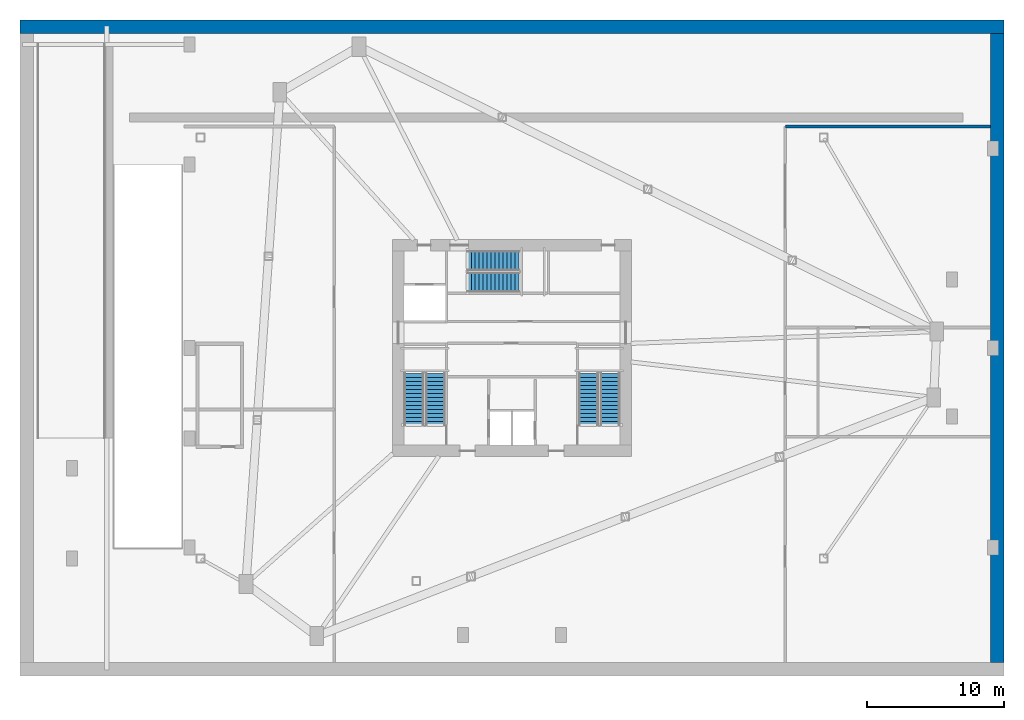
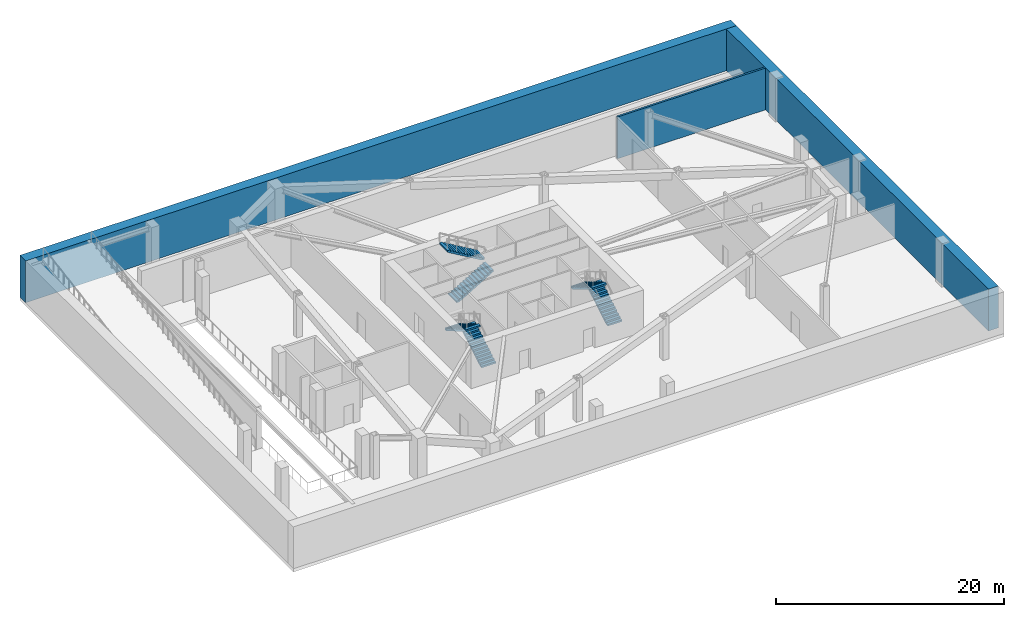
# One storey, part 6 of 9: 6 stair flights, 3 walls, 3 elements without a shape of their own.
"""IFC4 building model written with IfcOpenShell, lengths in metres."""

from ifc_helpers import new_model, si_unit, direction, frame, frame_2d, origin, place, context, subcontext, project, spatial, polyline, rectangle, outline, extrude, material, layer, layer_set, type_object, element, aggregate, save


model = new_model("IFC4")

# Units and contexts
model_context = context("Model", 3, precision=1e-05, world=origin(), true_north=direction((0.0, 1.0)))
body_context = subcontext(model_context, "Body", "Model", "MODEL_VIEW")
ifc_project = project(units=[si_unit("LENGTHUNIT", "METRE"), si_unit("AREAUNIT", "SQUARE_METRE"), si_unit("VOLUMEUNIT", "CUBIC_METRE"), si_unit("PLANEANGLEUNIT", "RADIAN"), si_unit("MASSUNIT", "GRAM", prefix="KILO")], contexts=[model_context])

# Site, building, storey
site_placement = place(None, origin())
site = spatial("IfcSite", under=ifc_project, at=site_placement, CompositionType="ELEMENT")
building_placement = place(site_placement, origin())
building = spatial("IfcBuilding", under=site, at=building_placement, Name="Olszyna Solenne Hotel", CompositionType="ELEMENT")
storey_placement = place(building_placement, frame((0.0, 0.0, -4.800048828125)))
storey = spatial("IfcBuildingStorey", under=building, at=storey_placement, Name="B01", CompositionType="ELEMENT", Elevation=-4.800048828125)

# Walls
ifc_material_1 = material(Name="Concrete C40/50", Category="concrete")
ifc_layer_1 = layer(ifc_material_1, 1.0, Name="Concrete C40/50")
ifc_layer_set_1 = layer_set([ifc_layer_1], Name="Concrete C40/50")
wall_type_1 = type_object("IfcWallType", Name="WL-DW1000", PredefinedType="SOLIDWALL", material=ifc_layer_set_1)
wall_1_placement = place(storey_placement, frame((2.0, 50.10009765625, 0.0), z_axis=(0.0, 0.0, 1.0), x_axis=(1.0, 0.0, 0.0)))
element("IfcWall", 1, at=wall_1_placement, inside=storey, type_object=wall_type_1, Name="Perimeter diaphragm wall DW-B01-N", PredefinedType="SOLIDWALL", context=body_context, shape_type="SweptSolid", body=[
    extrude(rectangle(XDim=72.0, YDim=1.0, at=frame_2d((36.0, 0.0))), origin(), (0.0, 0.0, 1.0), 4.47998046875),
])
wall_2_placement = place(storey_placement, frame((73.5, 3.60009765625, 0.0), z_axis=(0.0, 0.0, 1.0), x_axis=(0.0, 1.0, 0.0)))
element("IfcWall", 2, at=wall_2_placement, inside=storey, type_object=wall_type_1, Name="Perimeter diaphragm wall DW-B01-E", PredefinedType="SOLIDWALL", context=body_context, shape_type="SweptSolid", body=[
    extrude(rectangle(XDim=46.0, YDim=1.0, at=frame_2d((23.0, 0.0))), origin(), (0.0, 0.0, 1.0), 4.47998046875),
])
ifc_material_2 = material(Name="Acoustic gypsum partition", Category="gypsum")
ifc_layer_2 = layer(ifc_material_2, 0.199951171875, Name="Acoustic gypsum partition")
ifc_layer_set_2 = layer_set([ifc_layer_2], Name="Acoustic gypsum partition")
wall_type_2 = type_object("IfcWallType", Name="WL-PT200", PredefinedType="PARTITIONING", material=ifc_layer_set_2)
wall_3_placement = place(storey_placement, frame((58.0, 42.800048828125, 0.0), z_axis=(0.0, 0.0, 1.0), x_axis=(1.0, 0.0, 0.0)))
element("IfcWall", 3, at=wall_3_placement, inside=storey, type_object=wall_type_2, Name="Interior acoustic partition WL-PT200 PW-B01-0054", PredefinedType="PARTITIONING", context=body_context, shape_type="SweptSolid", body=[
    extrude(rectangle(XDim=15.0, YDim=0.199951171875, at=frame_2d((7.5, 0.0))), origin(), (0.0, 0.0, 1.0), 4.47998046875),
])

# Stair, stair flights
stair_type = type_object("IfcStairType", Name="STR-C1", PredefinedType="TWO_QUARTER_WINDING_STAIR", material=ifc_material_1)
stair_1_placement = place(storey_placement, origin())
stair_1 = element("IfcStair", 4, at=stair_1_placement, inside=storey, type_object=stair_type, Name="B01 ST1", PredefinedType="TWO_QUARTER_WINDING_STAIR")
stair_flight_type = type_object("IfcStairFlightType", Name="FLT-C1", PredefinedType="STRAIGHT", material=ifc_material_1)
stair_flight_1_placement = place(storey_placement, frame((32.39501953125, 20.949951171875, 0.0), z_axis=(0.0, 0.0, 1.0), x_axis=(0.0, 1.0, 0.0)))
stair_flight_1 = element("IfcStairFlight", 5, at=stair_flight_1_placement, type_object=stair_flight_type, Name="ST1 flight 1", NumberOfRisers=14, NumberOfTreads=13, PredefinedType="STRAIGHT", RiserHeight=0.171428571, TreadLength=0.29, context=body_context, shape_type="SweptSolid", body=[
    extrude(outline(polyline([(0.0, 0.0), (0.0, 0.17138671875), (0.2900390625, 0.17138671875), (0.2900390625, 0.3427734375), (0.580078125, 0.3427734375), (0.580078125, 0.514404296875), (0.8701171875, 0.514404296875), (0.8701171875, 0.685791015625), (1.159912109375, 0.685791015625), (1.159912109375, 0.857177734375), (1.449951171875, 0.857177734375), (1.449951171875, 1.028564453125), (1.739990234375, 1.028564453125), (1.739990234375, 1.199951171875), (2.030029296875, 1.199951171875), (2.030029296875, 1.371337890625), (2.320068359375, 1.371337890625), (2.320068359375, 1.54296875), (2.610107421875, 1.54296875), (2.610107421875, 1.71435546875), (2.89990234375, 1.71435546875), (2.89990234375, 1.8857421875), (3.18994140625, 1.8857421875), (3.18994140625, 2.05712890625), (3.47998046875, 2.05712890625), (3.47998046875, 2.228515625), (3.77001953125, 2.228515625), (3.77001953125, 2.39990234375), (3.77001953125, 2.054443359375), (0.294677734375, 0.0), (0.0, 0.0)])), frame((0.0, 0.72509765625, 0.0), z_axis=(0.0, -1.0, 0.0), x_axis=(1.0, 0.0, 0.0)), (0.0, 0.0, 1.0), 1.449951171875),
])
stair_flight_2_placement = place(storey_placement, frame((30.824951171875, 24.719970703125, 2.400146484375), z_axis=(0.0, 0.0, 1.0), x_axis=(0.0, -1.0, 0.0)))
stair_flight_2 = element("IfcStairFlight", 6, at=stair_flight_2_placement, type_object=stair_flight_type, Name="ST1 flight 2", NumberOfRisers=14, NumberOfTreads=13, PredefinedType="STRAIGHT", RiserHeight=0.171428571, TreadLength=0.29, context=body_context, shape_type="SweptSolid", body=[
    extrude(outline(polyline([(0.0, 0.0), (0.0, 0.17138671875), (0.2900390625, 0.17138671875), (0.2900390625, 0.3427734375), (0.580078125, 0.3427734375), (0.580078125, 0.514404296875), (0.8701171875, 0.514404296875), (0.8701171875, 0.685791015625), (1.159912109375, 0.685791015625), (1.159912109375, 0.857177734375), (1.449951171875, 0.857177734375), (1.449951171875, 1.028564453125), (1.739990234375, 1.028564453125), (1.739990234375, 1.199951171875), (2.030029296875, 1.199951171875), (2.030029296875, 1.371337890625), (2.320068359375, 1.371337890625), (2.320068359375, 1.54296875), (2.610107421875, 1.54296875), (2.610107421875, 1.71435546875), (2.89990234375, 1.71435546875), (2.89990234375, 1.8857421875), (3.18994140625, 1.8857421875), (3.18994140625, 2.05712890625), (3.47998046875, 2.05712890625), (3.47998046875, 2.228515625), (3.77001953125, 2.228515625), (3.77001953125, 2.39990234375), (3.77001953125, 2.054443359375), (0.294677734375, 0.0), (0.0, 0.0)])), frame((0.0, 0.72509765625, 0.0), z_axis=(0.0, -1.0, 0.0), x_axis=(1.0, 0.0, 0.0)), (0.0, 0.0, 1.0), 1.449951171875),
])
aggregate(stair_1, [stair_flight_1, stair_flight_2])

stair_2_placement = place(storey_placement, origin())
stair_2 = element("IfcStair", 7, at=stair_2_placement, inside=storey, type_object=stair_type, Name="B01 ST2", PredefinedType="TWO_QUARTER_WINDING_STAIR")
stair_flight_3_placement = place(storey_placement, frame((45.175048828125, 20.949951171875, 0.0), z_axis=(0.0, 0.0, 1.0), x_axis=(0.0, 1.0, 0.0)))
stair_flight_3 = element("IfcStairFlight", 8, at=stair_flight_3_placement, type_object=stair_flight_type, Name="ST2 flight 1", NumberOfRisers=14, NumberOfTreads=13, PredefinedType="STRAIGHT", RiserHeight=0.171428571, TreadLength=0.29, context=body_context, shape_type="SweptSolid", body=[
    extrude(outline(polyline([(0.0, 0.0), (0.0, 0.17138671875), (0.2900390625, 0.17138671875), (0.2900390625, 0.3427734375), (0.580078125, 0.3427734375), (0.580078125, 0.514404296875), (0.8701171875, 0.514404296875), (0.8701171875, 0.685791015625), (1.159912109375, 0.685791015625), (1.159912109375, 0.857177734375), (1.449951171875, 0.857177734375), (1.449951171875, 1.028564453125), (1.739990234375, 1.028564453125), (1.739990234375, 1.199951171875), (2.030029296875, 1.199951171875), (2.030029296875, 1.371337890625), (2.320068359375, 1.371337890625), (2.320068359375, 1.54296875), (2.610107421875, 1.54296875), (2.610107421875, 1.71435546875), (2.89990234375, 1.71435546875), (2.89990234375, 1.8857421875), (3.18994140625, 1.8857421875), (3.18994140625, 2.05712890625), (3.47998046875, 2.05712890625), (3.47998046875, 2.228515625), (3.77001953125, 2.228515625), (3.77001953125, 2.39990234375), (3.77001953125, 2.054443359375), (0.294677734375, 0.0), (0.0, 0.0)])), frame((0.0, 0.72509765625, 0.0), z_axis=(0.0, -1.0, 0.0), x_axis=(1.0, 0.0, 0.0)), (0.0, 0.0, 1.0), 1.449951171875),
])
stair_flight_4_placement = place(storey_placement, frame((43.60498046875, 24.719970703125, 2.400146484375), z_axis=(0.0, 0.0, 1.0), x_axis=(0.0, -1.0, 0.0)))
stair_flight_4 = element("IfcStairFlight", 9, at=stair_flight_4_placement, type_object=stair_flight_type, Name="ST2 flight 2", NumberOfRisers=14, NumberOfTreads=13, PredefinedType="STRAIGHT", RiserHeight=0.171428571, TreadLength=0.29, context=body_context, shape_type="SweptSolid", body=[
    extrude(outline(polyline([(0.0, 0.0), (0.0, 0.17138671875), (0.2900390625, 0.17138671875), (0.2900390625, 0.3427734375), (0.580078125, 0.3427734375), (0.580078125, 0.514404296875), (0.8701171875, 0.514404296875), (0.8701171875, 0.685791015625), (1.159912109375, 0.685791015625), (1.159912109375, 0.857177734375), (1.449951171875, 0.857177734375), (1.449951171875, 1.028564453125), (1.739990234375, 1.028564453125), (1.739990234375, 1.199951171875), (2.030029296875, 1.199951171875), (2.030029296875, 1.371337890625), (2.320068359375, 1.371337890625), (2.320068359375, 1.54296875), (2.610107421875, 1.54296875), (2.610107421875, 1.71435546875), (2.89990234375, 1.71435546875), (2.89990234375, 1.8857421875), (3.18994140625, 1.8857421875), (3.18994140625, 2.05712890625), (3.47998046875, 2.05712890625), (3.47998046875, 2.228515625), (3.77001953125, 2.228515625), (3.77001953125, 2.39990234375), (3.77001953125, 2.054443359375), (0.294677734375, 0.0), (0.0, 0.0)])), frame((0.0, 0.72509765625, 0.0), z_axis=(0.0, -1.0, 0.0), x_axis=(1.0, 0.0, 0.0)), (0.0, 0.0, 1.0), 1.449951171875),
])
aggregate(stair_2, [stair_flight_3, stair_flight_4])

stair_3_placement = place(storey_placement, origin())
stair_3 = element("IfcStair", 10, at=stair_3_placement, inside=storey, type_object=stair_type, Name="B01 ST3", PredefinedType="TWO_QUARTER_WINDING_STAIR")
stair_flight_5_placement = place(storey_placement, frame((34.72998046875, 31.405029296875, 0.0), z_axis=(0.0, 0.0, 1.0), x_axis=(1.0, 0.0, 0.0)))
stair_flight_5 = element("IfcStairFlight", 11, at=stair_flight_5_placement, type_object=stair_flight_type, Name="ST3 flight 1", NumberOfRisers=14, NumberOfTreads=13, PredefinedType="STRAIGHT", RiserHeight=0.171428571, TreadLength=0.29, context=body_context, shape_type="SweptSolid", body=[
    extrude(outline(polyline([(0.0, 0.0), (0.0, 0.17138671875), (0.2900390625, 0.17138671875), (0.2900390625, 0.3427734375), (0.580078125, 0.3427734375), (0.580078125, 0.514404296875), (0.8701171875, 0.514404296875), (0.8701171875, 0.685791015625), (1.159912109375, 0.685791015625), (1.159912109375, 0.857177734375), (1.449951171875, 0.857177734375), (1.449951171875, 1.028564453125), (1.739990234375, 1.028564453125), (1.739990234375, 1.199951171875), (2.030029296875, 1.199951171875), (2.030029296875, 1.371337890625), (2.320068359375, 1.371337890625), (2.320068359375, 1.54296875), (2.610107421875, 1.54296875), (2.610107421875, 1.71435546875), (2.89990234375, 1.71435546875), (2.89990234375, 1.8857421875), (3.18994140625, 1.8857421875), (3.18994140625, 2.05712890625), (3.47998046875, 2.05712890625), (3.47998046875, 2.228515625), (3.77001953125, 2.228515625), (3.77001953125, 2.39990234375), (3.77001953125, 2.054443359375), (0.294677734375, 0.0), (0.0, 0.0)])), frame((0.0, 0.72509765625, 0.0), z_axis=(0.0, -1.0, 0.0), x_axis=(1.0, 0.0, 0.0)), (0.0, 0.0, 1.0), 1.449951171875),
])
stair_flight_6_placement = place(storey_placement, frame((38.5, 32.97509765625, 2.400146484375), z_axis=(0.0, 0.0, 1.0), x_axis=(-1.0, 0.0, 0.0)))
stair_flight_6 = element("IfcStairFlight", 12, at=stair_flight_6_placement, type_object=stair_flight_type, Name="ST3 flight 2", NumberOfRisers=14, NumberOfTreads=13, PredefinedType="STRAIGHT", RiserHeight=0.171428571, TreadLength=0.29, context=body_context, shape_type="SweptSolid", body=[
    extrude(outline(polyline([(0.0, 0.0), (0.0, 0.17138671875), (0.2900390625, 0.17138671875), (0.2900390625, 0.3427734375), (0.580078125, 0.3427734375), (0.580078125, 0.514404296875), (0.8701171875, 0.514404296875), (0.8701171875, 0.685791015625), (1.159912109375, 0.685791015625), (1.159912109375, 0.857177734375), (1.449951171875, 0.857177734375), (1.449951171875, 1.028564453125), (1.739990234375, 1.028564453125), (1.739990234375, 1.199951171875), (2.030029296875, 1.199951171875), (2.030029296875, 1.371337890625), (2.320068359375, 1.371337890625), (2.320068359375, 1.54296875), (2.610107421875, 1.54296875), (2.610107421875, 1.71435546875), (2.89990234375, 1.71435546875), (2.89990234375, 1.8857421875), (3.18994140625, 1.8857421875), (3.18994140625, 2.05712890625), (3.47998046875, 2.05712890625), (3.47998046875, 2.228515625), (3.77001953125, 2.228515625), (3.77001953125, 2.39990234375), (3.77001953125, 2.054443359375), (0.294677734375, 0.0), (0.0, 0.0)])), frame((0.0, 0.72509765625, 0.0), z_axis=(0.0, -1.0, 0.0), x_axis=(1.0, 0.0, 0.0)), (0.0, 0.0, 1.0), 1.449951171875),
])
aggregate(stair_3, [stair_flight_5, stair_flight_6])

save(model, "model.ifc")
